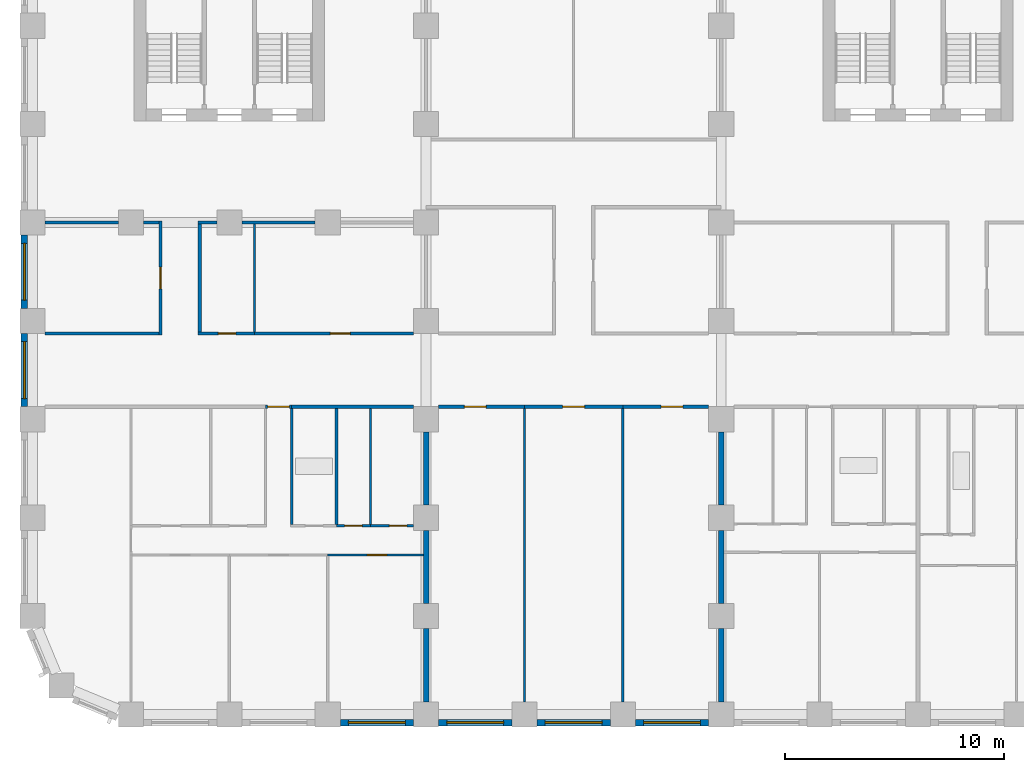
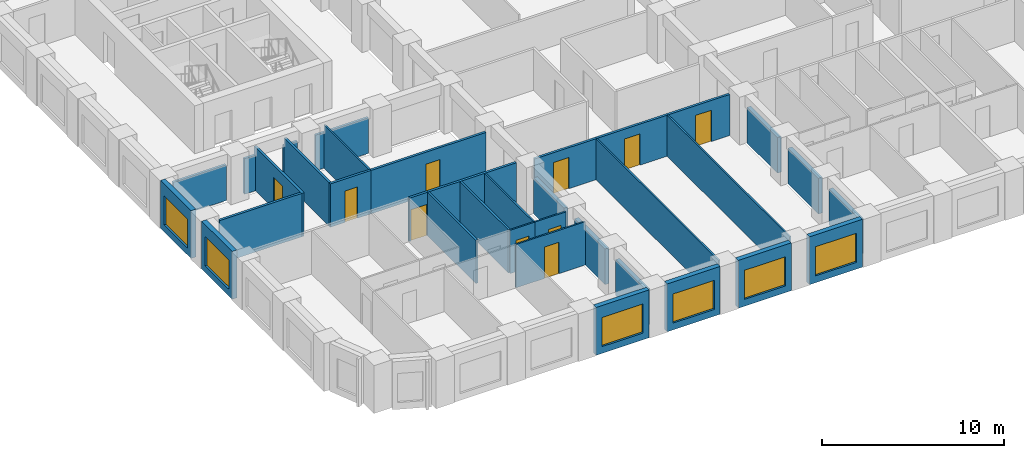
# One storey, part 3 of 13: 35 walls, 10 doors, 6 windows, 16 openings.
"""IFC4 building model written with IfcOpenShell, lengths in metres."""

from ifc_helpers import new_model, si_unit, direction, frame, frame_2d, origin, place, context, subcontext, project, spatial, rectangle, extrude, material, layer, layer_set, type_object, element, fill, save


model = new_model("IFC4")

# Units and contexts
model_context = context("Model", 3, precision=1e-05, world=origin(), true_north=direction((0.0, 1.0)))
body_context = subcontext(model_context, "Body", "Model", "MODEL_VIEW")
ifc_project = project(units=[si_unit("LENGTHUNIT", "METRE"), si_unit("AREAUNIT", "SQUARE_METRE"), si_unit("VOLUMEUNIT", "CUBIC_METRE"), si_unit("PLANEANGLEUNIT", "RADIAN"), si_unit("MASSUNIT", "GRAM", prefix="KILO")], contexts=[model_context])

# Site, building, storey
site_placement = place(None, origin())
site = spatial("IfcSite", under=ifc_project, at=site_placement, CompositionType="ELEMENT")
building_placement = place(site_placement, origin())
building = spatial("IfcBuilding", under=site, at=building_placement, Name="Girih Gate Residences", CompositionType="ELEMENT")
storey_placement = place(building_placement, frame((0.0, 0.0, 83.199951171875)))
storey = spatial("IfcBuildingStorey", under=building, at=storey_placement, Name="L22", CompositionType="ELEMENT", Elevation=83.199951171875)

# Walls
ifc_material_1 = material(Name="Gypsum board on steel studs", Category="steel")
ifc_layer_1 = layer(ifc_material_1, 0.25)
ifc_layer_set_1 = layer_set([ifc_layer_1], Name="Acoustic separating wall 250 mm")
wall_type_1 = type_object("IfcWallType", Name="Acoustic separating wall 250 mm", PredefinedType="PARTITIONING", material=ifc_layer_set_1)
for number, where, z_axis, x_axis, name in (
    (1, (18.0, 5.074951171875, 0.0), (0.0, 0.0, 1.0), (0.0, 1.0, 0.0), "L22 partition"),
    (2, (18.0, 0.574951171875, 0.0), (0.0, 0.0, 1.0), (0.0, 1.0, 0.0), "L22 partition"),
    (3, (18.0, 9.574951171875, 0.0), (0.0, 0.0, 1.0), (0.0, 1.0, 0.0), "L22 partition"),
    (4, (31.5, 9.574951171875, 0.0), (0.0, 0.0, 1.0), (0.0, 1.0, 0.0), "L22 partition"),
    (5, (31.5, 0.574951171875, 0.0), (0.0, 0.0, 1.0), (0.0, 1.0, 0.0), "L22 partition"),
    (6, (31.5, 5.074951171875, 0.0), (0.0, 0.0, 1.0), (0.0, 1.0, 0.0), "L22 partition"),
):
    element("IfcWall", number, at=place(storey_placement, frame(where, z_axis=z_axis, x_axis=x_axis)), inside=storey, type_object=wall_type_1, Name=name, PredefinedType="PARTITIONING", context=body_context, shape_type="SweptSolid", body=[
        extrude(rectangle(XDim=3.35009765625, YDim=0.25, at=frame_2d((1.675048828125, 0.0))), origin(), (0.0, 0.0, 1.0), 2.380126953125),
    ])
ifc_layer_2 = layer(ifc_material_1, 0.14990234375)
ifc_layer_set_2 = layer_set([ifc_layer_2], Name="Compartment wall 150 mm")
wall_type_2 = type_object("IfcWallType", Name="Compartment wall 150 mm", PredefinedType="PARTITIONING", material=ifc_layer_set_2)
wall_1_placement = place(storey_placement, frame((11.85009765625, 14.074951171875, 0.0), z_axis=(0.0, 0.0, 1.0), x_axis=(1.0, 0.0, 0.0)))
element("IfcWall", 7, at=wall_1_placement, inside=storey, type_object=wall_type_2, Name="L22 partition", PredefinedType="PARTITIONING", context=body_context, shape_type="SweptSolid", body=[
    extrude(rectangle(XDim=5.574951171875, YDim=0.14990234375, at=frame_2d((2.78759765625, 0.0))), origin(), (0.0, 0.0, 1.0), 2.900146484375),
])

# Wall, opening, door
wall_2_placement = place(storey_placement, frame((11.85009765625, 14.074951171875, 0.0), z_axis=(0.0, 0.0, 1.0), x_axis=(-1.0, 0.0, 0.0)))
wall_2 = element("IfcWall", 8, at=wall_2_placement, inside=storey, type_object=wall_type_2, Name="L22 partition", PredefinedType="PARTITIONING", context=body_context, shape_type="SweptSolid", body=[
    extrude(rectangle(XDim=1.2001953125, YDim=0.14990234375, at=frame_2d((0.60009765625, 0.0))), origin(), (0.0, 0.0, 1.0), 2.900146484375),
])
opening_1_placement = place(wall_2_placement, frame((0.10009765625, 0.0, 0.0)))
opening_1 = element("IfcOpeningElement", 9, at=opening_1_placement, cuts=wall_2, Name="Opening A22-010", PredefinedType="OPENING", context=body_context, shape_type="SweptSolid", body=[
    extrude(rectangle(XDim=1.0, YDim=2.10009765625, at=frame_2d((0.5, 1.050048828125))), frame((0.0, 0.0849609375, 0.0), z_axis=(0.0, -1.0, 0.0), x_axis=(1.0, 0.0, 0.0)), (0.0, 0.0, 1.0), 0.169921875),
])
ifc_material_2 = material(Name="Timber, fire-rated core", Category="wood")
door_type_1 = type_object("IfcDoorType", Name="Flat entrance door 1000x2100 FD30S", OperationType="NOTDEFINED", PredefinedType="DOOR", material=ifc_material_2)
door_1_placement = place(opening_1_placement, origin())
door_1 = element("IfcDoor", 10, at=door_1_placement, inside=storey, type_object=door_type_1, Name="Door A22-010", OperationType="SINGLE_SWING_RIGHT", OverallHeight=2.10009765625, OverallWidth=1.0, PredefinedType="DOOR", context=body_context, shape_type="SweptSolid", body=[
    extrude(rectangle(XDim=1.0, YDim=2.10009765625, at=frame_2d((0.5, 1.050048828125))), frame((0.0, 0.02490234375, 0.0), z_axis=(0.0, -1.0, 0.0), x_axis=(1.0, 0.0, 0.0)), (0.0, 0.0, 1.0), 0.050048828125),
])
fill(opening_1, door_1)

wall_3_placement = place(storey_placement, frame((22.5, 14.074951171875, 0.0), z_axis=(0.0, 0.0, 1.0), x_axis=(-1.0, 0.0, 0.0)))
wall_3 = element("IfcWall", 11, at=wall_3_placement, inside=storey, type_object=wall_type_2, Name="L22 partition", PredefinedType="PARTITIONING", context=body_context, shape_type="SweptSolid", body=[
    extrude(rectangle(XDim=3.925048828125, YDim=0.14990234375, at=frame_2d((1.96240234375, 0.0))), origin(), (0.0, 0.0, 1.0), 2.75),
])
opening_2_placement = place(wall_3_placement, frame((1.75, 0.0, 0.0)))
opening_2 = element("IfcOpeningElement", 12, at=opening_2_placement, cuts=wall_3, Name="Opening A22-053", PredefinedType="OPENING", context=body_context, shape_type="SweptSolid", body=[
    extrude(rectangle(XDim=1.0, YDim=2.10009765625, at=frame_2d((0.5, 1.050048828125))), frame((0.0, 0.0849609375, 0.0), z_axis=(0.0, -1.0, 0.0), x_axis=(1.0, 0.0, 0.0)), (0.0, 0.0, 1.0), 0.169921875),
])
door_type_2 = type_object("IfcDoorType", Name="Amenity room door 1000x2100 FD30S", OperationType="NOTDEFINED", PredefinedType="DOOR", material=ifc_material_2)
door_2_placement = place(opening_2_placement, origin())
door_2 = element("IfcDoor", 13, at=door_2_placement, inside=storey, type_object=door_type_2, Name="Door A22-053", OperationType="SINGLE_SWING_RIGHT", OverallHeight=2.10009765625, OverallWidth=1.0, PredefinedType="DOOR", context=body_context, shape_type="SweptSolid", body=[
    extrude(rectangle(XDim=1.0, YDim=2.10009765625, at=frame_2d((0.5, 1.050048828125))), frame((0.0, 0.02490234375, 0.0), z_axis=(0.0, -1.0, 0.0), x_axis=(1.0, 0.0, 0.0)), (0.0, 0.0, 1.0), 0.050048828125),
])
fill(opening_2, door_2)

wall_4_placement = place(storey_placement, frame((27.0, 14.074951171875, 0.0), z_axis=(0.0, 0.0, 1.0), x_axis=(-1.0, 0.0, 0.0)))
wall_4 = element("IfcWall", 14, at=wall_4_placement, inside=storey, type_object=wall_type_2, Name="L22 partition", PredefinedType="PARTITIONING", context=body_context, shape_type="SweptSolid", body=[
    extrude(rectangle(XDim=4.5, YDim=0.14990234375, at=frame_2d((2.25, 0.0))), origin(), (0.0, 0.0, 1.0), 2.75),
])
opening_3_placement = place(wall_4_placement, frame((1.75, 0.0, 0.0)))
opening_3 = element("IfcOpeningElement", 15, at=opening_3_placement, cuts=wall_4, Name="Opening A22-054", PredefinedType="OPENING", context=body_context, shape_type="SweptSolid", body=[
    extrude(rectangle(XDim=1.0, YDim=2.10009765625, at=frame_2d((0.5, 1.050048828125))), frame((0.0, 0.0849609375, 0.0), z_axis=(0.0, -1.0, 0.0), x_axis=(1.0, 0.0, 0.0)), (0.0, 0.0, 1.0), 0.169921875),
])
door_3_placement = place(opening_3_placement, origin())
door_3 = element("IfcDoor", 16, at=door_3_placement, inside=storey, type_object=door_type_2, Name="Door A22-054", OperationType="SINGLE_SWING_RIGHT", OverallHeight=2.10009765625, OverallWidth=1.0, PredefinedType="DOOR", context=body_context, shape_type="SweptSolid", body=[
    extrude(rectangle(XDim=1.0, YDim=2.10009765625, at=frame_2d((0.5, 1.050048828125))), frame((0.0, 0.02490234375, 0.0), z_axis=(0.0, -1.0, 0.0), x_axis=(1.0, 0.0, 0.0)), (0.0, 0.0, 1.0), 0.050048828125),
])
fill(opening_3, door_3)

wall_5_placement = place(storey_placement, frame((30.925048828125, 14.074951171875, 0.0), z_axis=(0.0, 0.0, 1.0), x_axis=(-1.0, 0.0, 0.0)))
wall_5 = element("IfcWall", 17, at=wall_5_placement, inside=storey, type_object=wall_type_2, Name="L22 partition", PredefinedType="PARTITIONING", context=body_context, shape_type="SweptSolid", body=[
    extrude(rectangle(XDim=3.925048828125, YDim=0.14990234375, at=frame_2d((1.96240234375, 0.0))), origin(), (0.0, 0.0, 1.0), 2.75),
])
opening_4_placement = place(wall_5_placement, frame((1.175048828125, 0.0, 0.0)))
opening_4 = element("IfcOpeningElement", 18, at=opening_4_placement, cuts=wall_5, Name="Opening A22-055", PredefinedType="OPENING", context=body_context, shape_type="SweptSolid", body=[
    extrude(rectangle(XDim=1.0, YDim=2.10009765625, at=frame_2d((0.5, 1.050048828125))), frame((0.0, 0.0849609375, 0.0), z_axis=(0.0, -1.0, 0.0), x_axis=(1.0, 0.0, 0.0)), (0.0, 0.0, 1.0), 0.169921875),
])
door_4_placement = place(opening_4_placement, origin())
door_4 = element("IfcDoor", 19, at=door_4_placement, inside=storey, type_object=door_type_2, Name="Door A22-055", OperationType="SINGLE_SWING_LEFT", OverallHeight=2.10009765625, OverallWidth=1.0, PredefinedType="DOOR", context=body_context, shape_type="SweptSolid", body=[
    extrude(rectangle(XDim=1.0, YDim=2.10009765625, at=frame_2d((0.5, 1.050048828125))), frame((0.0, 0.02490234375, 0.0), z_axis=(0.0, -1.0, 0.0), x_axis=(1.0, 0.0, 0.0)), (0.0, 0.0, 1.0), 0.050048828125),
])
fill(opening_4, door_4)

wall_6_placement = place(storey_placement, frame((10.14990234375, 17.425048828125, 0.0), z_axis=(0.0, 0.0, 1.0), x_axis=(1.0, 0.0, 0.0)))
wall_6 = element("IfcWall", 20, at=wall_6_placement, inside=storey, type_object=wall_type_2, Name="L22 partition", PredefinedType="PARTITIONING", context=body_context, shape_type="SweptSolid", body=[
    extrude(rectangle(XDim=7.275146484375, YDim=0.14990234375, at=frame_2d((3.6376953125, 0.0))), origin(), (0.0, 0.0, 1.0), 2.900146484375),
])
opening_5_placement = place(wall_6_placement, frame((3.47509765625, 0.0, 0.0)))
opening_5 = element("IfcOpeningElement", 21, at=opening_5_placement, cuts=wall_6, Name="Opening A22-059", PredefinedType="OPENING", context=body_context, shape_type="SweptSolid", body=[
    extrude(rectangle(XDim=0.89990234375, YDim=2.10009765625, at=frame_2d((0.449951171875, 1.050048828125))), frame((0.0, 0.0849609375, 0.0), z_axis=(0.0, -1.0, 0.0), x_axis=(1.0, 0.0, 0.0)), (0.0, 0.0, 1.0), 0.169921875),
])
ifc_material_3 = material(Name="Timber", Category="wood")
door_type_3 = type_object("IfcDoorType", Name="Service room door 900x2100", OperationType="NOTDEFINED", PredefinedType="DOOR", material=ifc_material_3)
door_5_placement = place(opening_5_placement, origin())
door_5 = element("IfcDoor", 22, at=door_5_placement, inside=storey, type_object=door_type_3, Name="Door A22-059", OperationType="SINGLE_SWING_RIGHT", OverallHeight=2.10009765625, OverallWidth=0.89990234375, PredefinedType="DOOR", context=body_context, shape_type="SweptSolid", body=[
    extrude(rectangle(XDim=0.89990234375, YDim=2.10009765625, at=frame_2d((0.449951171875, 1.050048828125))), frame((0.0, 0.02490234375, 0.0), z_axis=(0.0, -1.0, 0.0), x_axis=(1.0, 0.0, 0.0)), (0.0, 0.0, 1.0), 0.050048828125),
])
fill(opening_5, door_5)

wall_7_placement = place(storey_placement, frame((7.574951171875, 17.425048828125, 0.0), z_axis=(0.0, 0.0, 1.0), x_axis=(1.0, 0.0, 0.0)))
wall_7 = element("IfcWall", 23, at=wall_7_placement, inside=storey, type_object=wall_type_2, Name="L22 partition", PredefinedType="PARTITIONING", context=body_context, shape_type="SweptSolid", body=[
    extrude(rectangle(XDim=2.574951171875, YDim=0.14990234375, at=frame_2d((1.28759765625, 0.0))), origin(), (0.0, 0.0, 1.0), 2.900146484375),
])
opening_6_placement = place(wall_7_placement, frame((0.925048828125, 0.0, 0.0)))
opening_6 = element("IfcOpeningElement", 24, at=opening_6_placement, cuts=wall_7, Name="Opening A22-061", PredefinedType="OPENING", context=body_context, shape_type="SweptSolid", body=[
    extrude(rectangle(XDim=0.800048828125, YDim=2.10009765625, at=frame_2d((0.39990234375, 1.050048828125))), frame((0.0, 0.0849609375, 0.0), z_axis=(0.0, -1.0, 0.0), x_axis=(1.0, 0.0, 0.0)), (0.0, 0.0, 1.0), 0.169921875),
])
door_type_4 = type_object("IfcDoorType", Name="Bathroom door 800x2100", OperationType="NOTDEFINED", PredefinedType="DOOR", material=ifc_material_3)
door_6_placement = place(opening_6_placement, origin())
door_6 = element("IfcDoor", 25, at=door_6_placement, inside=storey, type_object=door_type_4, Name="Door A22-061", OperationType="SINGLE_SWING_RIGHT", OverallHeight=2.10009765625, OverallWidth=0.800048828125, PredefinedType="DOOR", context=body_context, shape_type="SweptSolid", body=[
    extrude(rectangle(XDim=0.800048828125, YDim=2.10009765625, at=frame_2d((0.39990234375, 1.050048828125))), frame((0.0, 0.02490234375, 0.0), z_axis=(0.0, -1.0, 0.0), x_axis=(1.0, 0.0, 0.0)), (0.0, 0.0, 1.0), 0.050048828125),
])
fill(opening_6, door_6)

# Walls
wall_8_placement = place(storey_placement, frame((0.574951171875, 17.425048828125, 0.0), z_axis=(0.0, 0.0, 1.0), x_axis=(1.0, 0.0, 0.0)))
element("IfcWall", 26, at=wall_8_placement, inside=storey, type_object=wall_type_2, Name="L22 partition", PredefinedType="PARTITIONING", context=body_context, shape_type="SweptSolid", body=[
    extrude(rectangle(XDim=5.199951171875, YDim=0.14990234375, at=frame_2d((2.60009765625, 0.0))), origin(), (0.0, 0.0, 1.0), 2.900146484375),
])
wall_9_placement = place(storey_placement, frame((9.574951171875, 22.5, 0.0), z_axis=(0.0, 0.0, 1.0), x_axis=(1.0, 0.0, 0.0)))
element("IfcWall", 27, at=wall_9_placement, inside=storey, type_object=wall_type_2, Name="L22 partition", PredefinedType="PARTITIONING", context=body_context, shape_type="SweptSolid", body=[
    extrude(rectangle(XDim=3.35009765625, YDim=0.14990234375, at=frame_2d((1.675048828125, 0.0))), origin(), (0.0, 0.0, 1.0), 2.380126953125),
])
wall_10_placement = place(storey_placement, frame((7.574951171875, 22.5, 0.0), z_axis=(0.0, 0.0, 1.0), x_axis=(1.0, 0.0, 0.0)))
element("IfcWall", 28, at=wall_10_placement, inside=storey, type_object=wall_type_2, Name="L22 partition", PredefinedType="PARTITIONING", context=body_context, shape_type="SweptSolid", body=[
    extrude(rectangle(XDim=0.85009765625, YDim=0.14990234375, at=frame_2d((0.425048828125, 0.0))), origin(), (0.0, 0.0, 1.0), 2.380126953125),
])
wall_11_placement = place(storey_placement, frame((5.074951171875, 22.5, 0.0), z_axis=(0.0, 0.0, 1.0), x_axis=(1.0, 0.0, 0.0)))
element("IfcWall", 29, at=wall_11_placement, inside=storey, type_object=wall_type_2, Name="L22 partition", PredefinedType="PARTITIONING", context=body_context, shape_type="SweptSolid", body=[
    extrude(rectangle(XDim=0.699951171875, YDim=0.14990234375, at=frame_2d((0.35009765625, 0.0))), origin(), (0.0, 0.0, 1.0), 2.380126953125),
])
wall_12_placement = place(storey_placement, frame((0.574951171875, 22.5, 0.0), z_axis=(0.0, 0.0, 1.0), x_axis=(1.0, 0.0, 0.0)))
element("IfcWall", 30, at=wall_12_placement, inside=storey, type_object=wall_type_2, Name="L22 partition", PredefinedType="PARTITIONING", context=body_context, shape_type="SweptSolid", body=[
    extrude(rectangle(XDim=3.35009765625, YDim=0.14990234375, at=frame_2d((1.675048828125, 0.0))), origin(), (0.0, 0.0, 1.0), 2.380126953125),
])
wall_13_placement = place(storey_placement, frame((7.64990234375, 17.5, 0.0), z_axis=(0.0, 0.0, 1.0), x_axis=(0.0, 1.0, 0.0)))
element("IfcWall", 31, at=wall_13_placement, inside=storey, type_object=wall_type_2, Name="L22 partition", PredefinedType="PARTITIONING", context=body_context, shape_type="SweptSolid", body=[
    extrude(rectangle(XDim=4.925048828125, YDim=0.14990234375, at=frame_2d((2.46240234375, 0.0))), origin(), (0.0, 0.0, 1.0), 2.900146484375),
])

# Wall, opening, door
wall_14_placement = place(storey_placement, frame((5.85009765625, 17.35009765625, 0.0), z_axis=(0.0, 0.0, 1.0), x_axis=(0.0, 1.0, 0.0)))
wall_14 = element("IfcWall", 32, at=wall_14_placement, inside=storey, type_object=wall_type_2, Name="L22 partition", PredefinedType="PARTITIONING", context=body_context, shape_type="SweptSolid", body=[
    extrude(rectangle(XDim=5.224853515625, YDim=0.14990234375, at=frame_2d((2.6123046875, 0.0))), origin(), (0.0, 0.0, 1.0), 2.900146484375),
])
opening_7_placement = place(wall_14_placement, frame((2.112548828125, 0.0, 0.0)))
opening_7 = element("IfcOpeningElement", 33, at=opening_7_placement, cuts=wall_14, Name="Opening A22-063", PredefinedType="OPENING", context=body_context, shape_type="SweptSolid", body=[
    extrude(rectangle(XDim=1.0, YDim=2.10009765625, at=frame_2d((0.5, 1.050048828125))), frame((0.0, 0.0849609375, 0.0), z_axis=(0.0, -1.0, 0.0), x_axis=(1.0, 0.0, 0.0)), (0.0, 0.0, 1.0), 0.169921875),
])
door_7_placement = place(opening_7_placement, origin())
door_7 = element("IfcDoor", 34, at=door_7_placement, inside=storey, type_object=door_type_2, Name="Door A22-063", OperationType="SINGLE_SWING_LEFT", OverallHeight=2.10009765625, OverallWidth=1.0, PredefinedType="DOOR", context=body_context, shape_type="SweptSolid", body=[
    extrude(rectangle(XDim=1.0, YDim=2.10009765625, at=frame_2d((0.5, 1.050048828125))), frame((0.0, 0.02490234375, 0.0), z_axis=(0.0, -1.0, 0.0), x_axis=(1.0, 0.0, 0.0)), (0.0, 0.0, 1.0), 0.050048828125),
])
fill(opening_7, door_7)

ifc_layer_3 = layer(ifc_material_1, 0.10009765625)
ifc_layer_set_3 = layer_set([ifc_layer_3], Name="Partition 100 mm")
wall_type_3 = type_object("IfcWallType", Name="Partition 100 mm", PredefinedType="PARTITIONING", material=ifc_layer_set_3)
wall_15_placement = place(storey_placement, frame((17.875, 7.294921875, 0.0), z_axis=(0.0, 0.0, 1.0), x_axis=(-1.0, 0.0, 0.0)))
wall_15 = element("IfcWall", 35, at=wall_15_placement, inside=storey, type_object=wall_type_3, Name="L22 partition", PredefinedType="PARTITIONING", context=body_context, shape_type="SweptSolid", body=[
    extrude(rectangle(XDim=4.375, YDim=0.10009765625, at=frame_2d((2.1875, 0.0))), origin(), (0.0, 0.0, 1.0), 2.900146484375),
])
opening_8_placement = place(wall_15_placement, frame((1.675048828125, 0.0, 0.0)))
opening_8 = element("IfcOpeningElement", 36, at=opening_8_placement, cuts=wall_15, Name="Opening A22-004", PredefinedType="OPENING", context=body_context, shape_type="SweptSolid", body=[
    extrude(rectangle(XDim=0.89990234375, YDim=2.10009765625, at=frame_2d((0.449951171875, 1.050048828125))), frame((0.0, 0.06005859375, 0.0), z_axis=(0.0, -1.0, 0.0), x_axis=(1.0, 0.0, 0.0)), (0.0, 0.0, 1.0), 0.1201171875),
])
door_type_5 = type_object("IfcDoorType", Name="Bedroom door 900x2100", OperationType="NOTDEFINED", PredefinedType="DOOR", material=ifc_material_3)
door_8_placement = place(opening_8_placement, origin())
door_8 = element("IfcDoor", 37, at=door_8_placement, inside=storey, type_object=door_type_5, Name="Door A22-004", OperationType="SINGLE_SWING_LEFT", OverallHeight=2.10009765625, OverallWidth=0.89990234375, PredefinedType="DOOR", context=body_context, shape_type="SweptSolid", body=[
    extrude(rectangle(XDim=0.89990234375, YDim=2.10009765625, at=frame_2d((0.449951171875, 1.050048828125))), frame((0.0, 0.02490234375, 0.0), z_axis=(0.0, -1.0, 0.0), x_axis=(1.0, 0.0, 0.0)), (0.0, 0.0, 1.0), 0.050048828125),
])
fill(opening_8, door_8)

wall_16_placement = place(storey_placement, frame((15.452880859375, 8.635009765625, 0.0), z_axis=(0.0, 0.0, 1.0), x_axis=(1.0, 0.0, 0.0)))
wall_16 = element("IfcWall", 38, at=wall_16_placement, inside=storey, type_object=wall_type_3, Name="L22 partition", PredefinedType="PARTITIONING", context=body_context, shape_type="SweptSolid", body=[
    extrude(rectangle(XDim=1.97216796875, YDim=0.10009765625, at=frame_2d((0.986083984375, 0.0))), origin(), (0.0, 0.0, 1.0), 2.900146484375),
])
opening_9_placement = place(wall_16_placement, frame((0.87353515625, 0.0, 0.0)))
opening_9 = element("IfcOpeningElement", 39, at=opening_9_placement, cuts=wall_16, Name="Opening A22-005", PredefinedType="OPENING", context=body_context, shape_type="SweptSolid", body=[
    extrude(rectangle(XDim=0.800048828125, YDim=2.10009765625, at=frame_2d((0.39990234375, 1.050048828125))), frame((0.0, 0.06005859375, 0.0), z_axis=(0.0, -1.0, 0.0), x_axis=(1.0, 0.0, 0.0)), (0.0, 0.0, 1.0), 0.1201171875),
])
door_type_6 = type_object("IfcDoorType", Name="Store door 800x2100", OperationType="NOTDEFINED", PredefinedType="DOOR", material=ifc_material_3)
door_9_placement = place(opening_9_placement, origin())
door_9 = element("IfcDoor", 40, at=door_9_placement, inside=storey, type_object=door_type_6, Name="Door A22-005", OperationType="SINGLE_SWING_RIGHT", OverallHeight=2.10009765625, OverallWidth=0.800048828125, PredefinedType="DOOR", context=body_context, shape_type="SweptSolid", body=[
    extrude(rectangle(XDim=0.800048828125, YDim=2.10009765625, at=frame_2d((0.39990234375, 1.050048828125))), frame((0.0, 0.02490234375, 0.0), z_axis=(0.0, -1.0, 0.0), x_axis=(1.0, 0.0, 0.0)), (0.0, 0.0, 1.0), 0.050048828125),
])
fill(opening_9, door_9)

# Wall
wall_17_placement = place(storey_placement, frame((15.452880859375, 8.68505859375, 0.0), z_axis=(0.0, 0.0, 1.0), x_axis=(0.0, 1.0, 0.0)))
element("IfcWall", 41, at=wall_17_placement, inside=storey, type_object=wall_type_3, Name="L22 partition", PredefinedType="PARTITIONING", context=body_context, shape_type="SweptSolid", body=[
    extrude(rectangle(XDim=5.31494140625, YDim=0.10009765625, at=frame_2d((2.657470703125, 0.0))), origin(), (0.0, 0.0, 1.0), 2.900146484375),
])

# Wall, opening, door
wall_18_placement = place(storey_placement, frame((13.897705078125, 8.635009765625, 0.0), z_axis=(0.0, 0.0, 1.0), x_axis=(1.0, 0.0, 0.0)))
wall_18 = element("IfcWall", 42, at=wall_18_placement, inside=storey, type_object=wall_type_3, Name="L22 partition", PredefinedType="PARTITIONING", context=body_context, shape_type="SweptSolid", body=[
    extrude(rectangle(XDim=1.55517578125, YDim=0.10009765625, at=frame_2d((0.777587890625, 0.0))), origin(), (0.0, 0.0, 1.0), 2.900146484375),
])
opening_10_placement = place(wall_18_placement, frame((0.377685546875, 0.0, 0.0)))
opening_10 = element("IfcOpeningElement", 43, at=opening_10_placement, cuts=wall_18, Name="Opening A22-008", PredefinedType="OPENING", context=body_context, shape_type="SweptSolid", body=[
    extrude(rectangle(XDim=0.800048828125, YDim=2.10009765625, at=frame_2d((0.39990234375, 1.050048828125))), frame((0.0, 0.06005859375, 0.0), z_axis=(0.0, -1.0, 0.0), x_axis=(1.0, 0.0, 0.0)), (0.0, 0.0, 1.0), 0.1201171875),
])
door_10_placement = place(opening_10_placement, origin())
door_10 = element("IfcDoor", 44, at=door_10_placement, inside=storey, type_object=door_type_6, Name="Door A22-008", OperationType="SINGLE_SWING_RIGHT", OverallHeight=2.10009765625, OverallWidth=0.800048828125, PredefinedType="DOOR", context=body_context, shape_type="SweptSolid", body=[
    extrude(rectangle(XDim=0.800048828125, YDim=2.10009765625, at=frame_2d((0.39990234375, 1.050048828125))), frame((0.0, 0.02490234375, 0.0), z_axis=(0.0, -1.0, 0.0), x_axis=(1.0, 0.0, 0.0)), (0.0, 0.0, 1.0), 0.050048828125),
])
fill(opening_10, door_10)

# Walls
for number, where, z_axis, x_axis, name in (
    (45, (22.5, 0.574951171875, 0.0), (0.0, 0.0, 1.0), (0.0, 1.0, 0.0), "L22 partition"),
    (46, (27.0, 0.574951171875, 0.0), (0.0, 0.0, 1.0), (0.0, 1.0, 0.0), "L22 partition"),
):
    element("IfcWall", number, at=place(storey_placement, frame(where, z_axis=z_axis, x_axis=x_axis)), inside=storey, type_object=wall_type_3, Name=name, PredefinedType="PARTITIONING", context=body_context, shape_type="SweptSolid", body=[
        extrude(rectangle(XDim=13.425048828125, YDim=0.10009765625, at=frame_2d((6.71240234375, 0.0))), origin(), (0.0, 0.0, 1.0), 2.75),
    ])
wall_19_placement = place(storey_placement, frame((10.14990234375, 17.5, 0.0), z_axis=(0.0, 0.0, 1.0), x_axis=(0.0, 1.0, 0.0)))
element("IfcWall", 47, at=wall_19_placement, inside=storey, type_object=wall_type_3, Name="L22 partition", PredefinedType="PARTITIONING", context=body_context, shape_type="SweptSolid", body=[
    extrude(rectangle(XDim=4.925048828125, YDim=0.10009765625, at=frame_2d((2.46240234375, 0.0))), origin(), (0.0, 0.0, 1.0), 2.900146484375),
])

# Wall, opening, window
ifc_material_4 = material(Name="Precast concrete C50/60", Category="concrete")
ifc_layer_4 = layer(ifc_material_4, 0.080078125, Name="Outer leaf")
ifc_material_5 = material(Name="Rigid PIR insulation")
ifc_layer_5 = layer(ifc_material_5, 0.14990234375, Name="Insulation")
ifc_material_6 = material(Name="Precast concrete C40/50", Category="concrete")
ifc_layer_6 = layer(ifc_material_6, 0.070068359375, Name="Inner leaf")
ifc_layer_set_4 = layer_set([ifc_layer_4, ifc_layer_5, ifc_layer_6], Name="Precast concrete C50/60 external wall 300")
wall_type_4 = type_object("IfcWallType", Name="Precast concrete C50/60 external wall 300", PredefinedType="SOLIDWALL", material=ifc_layer_set_4)
wall_20_placement = place(storey_placement, frame((17.425048828125, -0.375, 0.0), z_axis=(0.0, 0.0, 1.0), x_axis=(-1.0, 0.0, 0.0)))
wall_20 = element("IfcWall", 48, at=wall_20_placement, inside=storey, type_object=wall_type_4, Name="External wall S0045_0000.2", PredefinedType="SOLIDWALL", context=body_context, shape_type="SweptSolid", body=[
    extrude(rectangle(XDim=3.35009765625, YDim=0.300048828125, at=frame_2d((1.675048828125, 0.0))), origin(), (0.0, 0.0, 1.0), 3.199951171875),
])
opening_11_placement = place(wall_20_placement, frame((0.375, 0.0, 0.449951171875)))
opening_11 = element("IfcOpeningElement", 49, at=opening_11_placement, cuts=wall_20, Name="Opening W-1A", PredefinedType="OPENING", context=body_context, shape_type="SweptSolid", body=[
    extrude(rectangle(XDim=2.60009765625, YDim=1.949951171875, at=frame_2d((1.300048828125, 0.97509765625))), frame((0.0, 0.159912109375, 0.0), z_axis=(0.0, -1.0, 0.0), x_axis=(1.0, 0.0, 0.0)), (0.0, 0.0, 1.0), 0.320068359375),
])
ifc_material_7 = material(Name="Double glazing in aluminium frame", Category="aluminium")
window_type = type_object("IfcWindowType", Name="Window W-1A 2600x1950", PartitioningType="SINGLE_PANEL", PredefinedType="WINDOW", material=ifc_material_7)
window_1_placement = place(opening_11_placement, origin())
window_1 = element("IfcWindow", 50, at=window_1_placement, inside=storey, type_object=window_type, Name="Window W-1A S0045_0000.2", OverallHeight=1.949951171875, OverallWidth=2.60009765625, PartitioningType="SINGLE_PANEL", PredefinedType="WINDOW", context=body_context, shape_type="SweptSolid", body=[
    extrude(rectangle(XDim=2.60009765625, YDim=1.949951171875, at=frame_2d((1.300048828125, 0.97509765625))), frame((0.0, 0.030029296875, 0.0), z_axis=(0.0, -1.0, 0.0), x_axis=(1.0, 0.0, 0.0)), (0.0, 0.0, 1.0), 0.06005859375),
])
fill(opening_11, window_1)

wall_21_placement = place(storey_placement, frame((21.925048828125, -0.375, 0.0), z_axis=(0.0, 0.0, 1.0), x_axis=(-1.0, 0.0, 0.0)))
wall_21 = element("IfcWall", 51, at=wall_21_placement, inside=storey, type_object=wall_type_4, Name="External wall S0045_0000.3", PredefinedType="SOLIDWALL", context=body_context, shape_type="SweptSolid", body=[
    extrude(rectangle(XDim=3.35009765625, YDim=0.300048828125, at=frame_2d((1.675048828125, 0.0))), origin(), (0.0, 0.0, 1.0), 3.199951171875),
])
opening_12_placement = place(wall_21_placement, frame((0.375, 0.0, 0.449951171875)))
opening_12 = element("IfcOpeningElement", 52, at=opening_12_placement, cuts=wall_21, Name="Opening W-1A", PredefinedType="OPENING", context=body_context, shape_type="SweptSolid", body=[
    extrude(rectangle(XDim=2.60009765625, YDim=1.949951171875, at=frame_2d((1.300048828125, 0.97509765625))), frame((0.0, 0.159912109375, 0.0), z_axis=(0.0, -1.0, 0.0), x_axis=(1.0, 0.0, 0.0)), (0.0, 0.0, 1.0), 0.320068359375),
])
window_2_placement = place(opening_12_placement, origin())
window_2 = element("IfcWindow", 53, at=window_2_placement, inside=storey, type_object=window_type, Name="Window W-1A S0045_0000.3", OverallHeight=1.949951171875, OverallWidth=2.60009765625, PartitioningType="SINGLE_PANEL", PredefinedType="WINDOW", context=body_context, shape_type="SweptSolid", body=[
    extrude(rectangle(XDim=2.60009765625, YDim=1.949951171875, at=frame_2d((1.300048828125, 0.97509765625))), frame((0.0, 0.030029296875, 0.0), z_axis=(0.0, -1.0, 0.0), x_axis=(1.0, 0.0, 0.0)), (0.0, 0.0, 1.0), 0.06005859375),
])
fill(opening_12, window_2)

wall_22_placement = place(storey_placement, frame((26.425048828125, -0.375, 0.0), z_axis=(0.0, 0.0, 1.0), x_axis=(-1.0, 0.0, 0.0)))
wall_22 = element("IfcWall", 54, at=wall_22_placement, inside=storey, type_object=wall_type_4, Name="External wall S0045_0000.4", PredefinedType="SOLIDWALL", context=body_context, shape_type="SweptSolid", body=[
    extrude(rectangle(XDim=3.35009765625, YDim=0.300048828125, at=frame_2d((1.675048828125, 0.0))), origin(), (0.0, 0.0, 1.0), 3.199951171875),
])
opening_13_placement = place(wall_22_placement, frame((0.375, 0.0, 0.449951171875)))
opening_13 = element("IfcOpeningElement", 55, at=opening_13_placement, cuts=wall_22, Name="Opening W-1A", PredefinedType="OPENING", context=body_context, shape_type="SweptSolid", body=[
    extrude(rectangle(XDim=2.60009765625, YDim=1.949951171875, at=frame_2d((1.300048828125, 0.97509765625))), frame((0.0, 0.159912109375, 0.0), z_axis=(0.0, -1.0, 0.0), x_axis=(1.0, 0.0, 0.0)), (0.0, 0.0, 1.0), 0.320068359375),
])
window_3_placement = place(opening_13_placement, origin())
window_3 = element("IfcWindow", 56, at=window_3_placement, inside=storey, type_object=window_type, Name="Window W-1A S0045_0000.4", OverallHeight=1.949951171875, OverallWidth=2.60009765625, PartitioningType="SINGLE_PANEL", PredefinedType="WINDOW", context=body_context, shape_type="SweptSolid", body=[
    extrude(rectangle(XDim=2.60009765625, YDim=1.949951171875, at=frame_2d((1.300048828125, 0.97509765625))), frame((0.0, 0.030029296875, 0.0), z_axis=(0.0, -1.0, 0.0), x_axis=(1.0, 0.0, 0.0)), (0.0, 0.0, 1.0), 0.06005859375),
])
fill(opening_13, window_3)

wall_23_placement = place(storey_placement, frame((30.925048828125, -0.375, 0.0), z_axis=(0.0, 0.0, 1.0), x_axis=(-1.0, 0.0, 0.0)))
wall_23 = element("IfcWall", 57, at=wall_23_placement, inside=storey, type_object=wall_type_4, Name="External wall S0045_0000.5", PredefinedType="SOLIDWALL", context=body_context, shape_type="SweptSolid", body=[
    extrude(rectangle(XDim=3.35009765625, YDim=0.300048828125, at=frame_2d((1.675048828125, 0.0))), origin(), (0.0, 0.0, 1.0), 3.199951171875),
])
opening_14_placement = place(wall_23_placement, frame((0.375, 0.0, 0.449951171875)))
opening_14 = element("IfcOpeningElement", 58, at=opening_14_placement, cuts=wall_23, Name="Opening W-1A", PredefinedType="OPENING", context=body_context, shape_type="SweptSolid", body=[
    extrude(rectangle(XDim=2.60009765625, YDim=1.949951171875, at=frame_2d((1.300048828125, 0.97509765625))), frame((0.0, 0.159912109375, 0.0), z_axis=(0.0, -1.0, 0.0), x_axis=(1.0, 0.0, 0.0)), (0.0, 0.0, 1.0), 0.320068359375),
])
window_4_placement = place(opening_14_placement, origin())
window_4 = element("IfcWindow", 59, at=window_4_placement, inside=storey, type_object=window_type, Name="Window W-1A S0045_0000.5", OverallHeight=1.949951171875, OverallWidth=2.60009765625, PartitioningType="SINGLE_PANEL", PredefinedType="WINDOW", context=body_context, shape_type="SweptSolid", body=[
    extrude(rectangle(XDim=2.60009765625, YDim=1.949951171875, at=frame_2d((1.300048828125, 0.97509765625))), frame((0.0, 0.030029296875, 0.0), z_axis=(0.0, -1.0, 0.0), x_axis=(1.0, 0.0, 0.0)), (0.0, 0.0, 1.0), 0.06005859375),
])
fill(opening_14, window_4)

wall_24_placement = place(storey_placement, frame((-0.375, 18.574951171875, 0.0), z_axis=(0.0, 0.0, 1.0), x_axis=(0.0, 1.0, 0.0)))
wall_24 = element("IfcWall", 60, at=wall_24_placement, inside=storey, type_object=wall_type_4, Name="External wall W0000_0450.5", PredefinedType="SOLIDWALL", context=body_context, shape_type="SweptSolid", body=[
    extrude(rectangle(XDim=3.35009765625, YDim=0.300048828125, at=frame_2d((1.675048828125, 0.0))), origin(), (0.0, 0.0, 1.0), 3.199951171875),
])
opening_15_placement = place(wall_24_placement, frame((0.375, 0.0, 0.449951171875)))
opening_15 = element("IfcOpeningElement", 61, at=opening_15_placement, cuts=wall_24, Name="Opening W-1A", PredefinedType="OPENING", context=body_context, shape_type="SweptSolid", body=[
    extrude(rectangle(XDim=2.60009765625, YDim=1.949951171875, at=frame_2d((1.300048828125, 0.97509765625))), frame((0.0, 0.159912109375, 0.0), z_axis=(0.0, -1.0, 0.0), x_axis=(1.0, 0.0, 0.0)), (0.0, 0.0, 1.0), 0.320068359375),
])
window_5_placement = place(opening_15_placement, origin())
window_5 = element("IfcWindow", 62, at=window_5_placement, inside=storey, type_object=window_type, Name="Window W-1A W0000_0450.5", OverallHeight=1.949951171875, OverallWidth=2.60009765625, PartitioningType="SINGLE_PANEL", PredefinedType="WINDOW", context=body_context, shape_type="SweptSolid", body=[
    extrude(rectangle(XDim=2.60009765625, YDim=1.949951171875, at=frame_2d((1.300048828125, 0.97509765625))), frame((0.0, 0.030029296875, 0.0), z_axis=(0.0, -1.0, 0.0), x_axis=(1.0, 0.0, 0.0)), (0.0, 0.0, 1.0), 0.06005859375),
])
fill(opening_15, window_5)

wall_25_placement = place(storey_placement, frame((-0.375, 14.074951171875, 0.0), z_axis=(0.0, 0.0, 1.0), x_axis=(0.0, 1.0, 0.0)))
wall_25 = element("IfcWall", 63, at=wall_25_placement, inside=storey, type_object=wall_type_4, Name="External wall W0000_0450.6", PredefinedType="SOLIDWALL", context=body_context, shape_type="SweptSolid", body=[
    extrude(rectangle(XDim=3.35009765625, YDim=0.300048828125, at=frame_2d((1.675048828125, 0.0))), origin(), (0.0, 0.0, 1.0), 3.199951171875),
])
opening_16_placement = place(wall_25_placement, frame((0.375, 0.0, 0.449951171875)))
opening_16 = element("IfcOpeningElement", 64, at=opening_16_placement, cuts=wall_25, Name="Opening W-1A", PredefinedType="OPENING", context=body_context, shape_type="SweptSolid", body=[
    extrude(rectangle(XDim=2.60009765625, YDim=1.949951171875, at=frame_2d((1.300048828125, 0.97509765625))), frame((0.0, 0.159912109375, 0.0), z_axis=(0.0, -1.0, 0.0), x_axis=(1.0, 0.0, 0.0)), (0.0, 0.0, 1.0), 0.320068359375),
])
window_6_placement = place(opening_16_placement, origin())
window_6 = element("IfcWindow", 65, at=window_6_placement, inside=storey, type_object=window_type, Name="Window W-1A W0000_0450.6", OverallHeight=1.949951171875, OverallWidth=2.60009765625, PartitioningType="SINGLE_PANEL", PredefinedType="WINDOW", context=body_context, shape_type="SweptSolid", body=[
    extrude(rectangle(XDim=2.60009765625, YDim=1.949951171875, at=frame_2d((1.300048828125, 0.97509765625))), frame((0.0, 0.030029296875, 0.0), z_axis=(0.0, -1.0, 0.0), x_axis=(1.0, 0.0, 0.0)), (0.0, 0.0, 1.0), 0.06005859375),
])
fill(opening_16, window_6)

# Walls
ifc_layer_7 = layer(ifc_material_1, 0.125)
ifc_layer_set_5 = layer_set([ifc_layer_7], Name="Wet room wall 125 mm")
wall_type_5 = type_object("IfcWallType", Name="Wet room wall 125 mm", PredefinedType="PARTITIONING", material=ifc_layer_set_5)
for number, where, z_axis, x_axis, name in (
    (66, (11.85009765625, 8.697509765625, 0.0), (0.0, 0.0, 1.0), (0.0, 1.0, 0.0), "L22 partition"),
    (67, (13.89794921875, 8.697509765625, 0.0), (0.0, 0.0, 1.0), (0.0, 1.0, 0.0), "L22 partition"),
):
    element("IfcWall", number, at=place(storey_placement, frame(where, z_axis=z_axis, x_axis=x_axis)), inside=storey, type_object=wall_type_5, Name=name, PredefinedType="PARTITIONING", context=body_context, shape_type="SweptSolid", body=[
        extrude(rectangle(XDim=5.302490234375, YDim=0.125, at=frame_2d((2.6513671875, 0.0))), origin(), (0.0, 0.0, 1.0), 2.900146484375),
    ])

save(model, "model.ifc")
